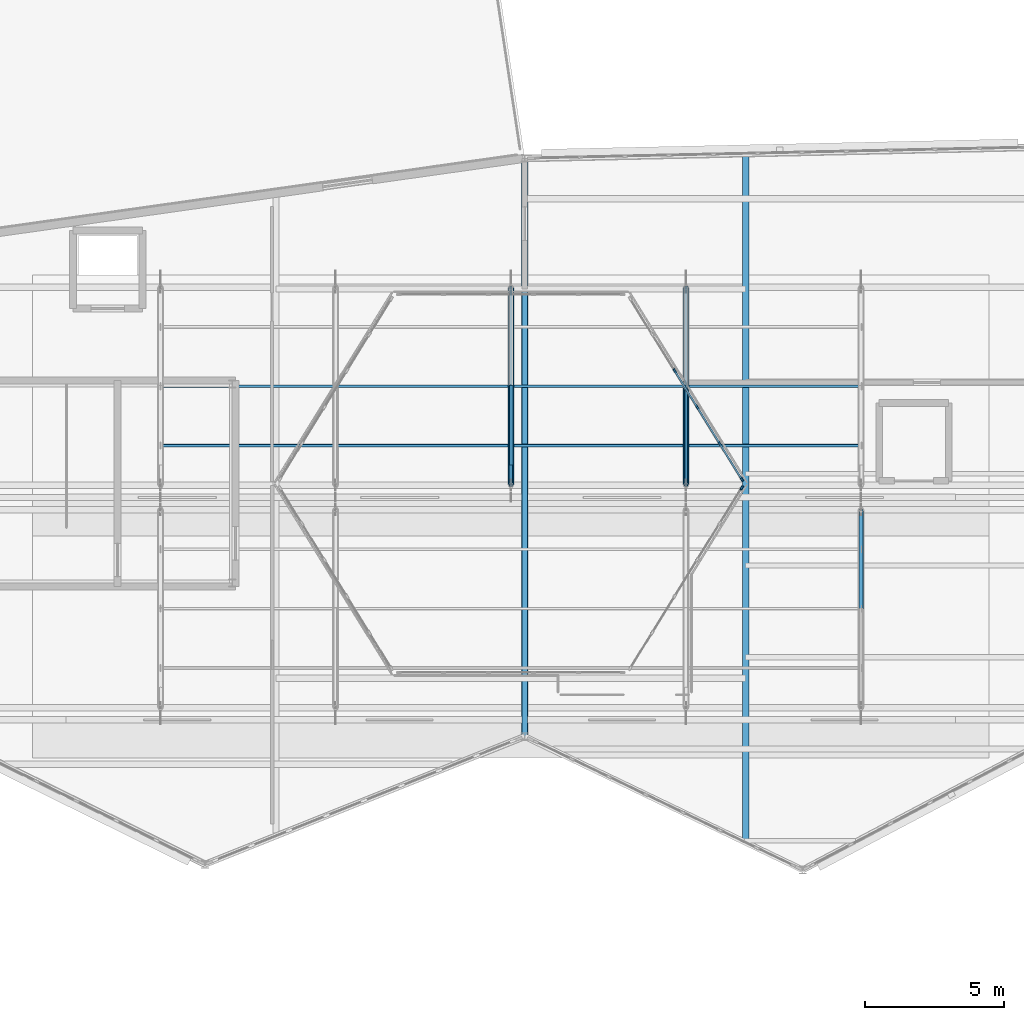
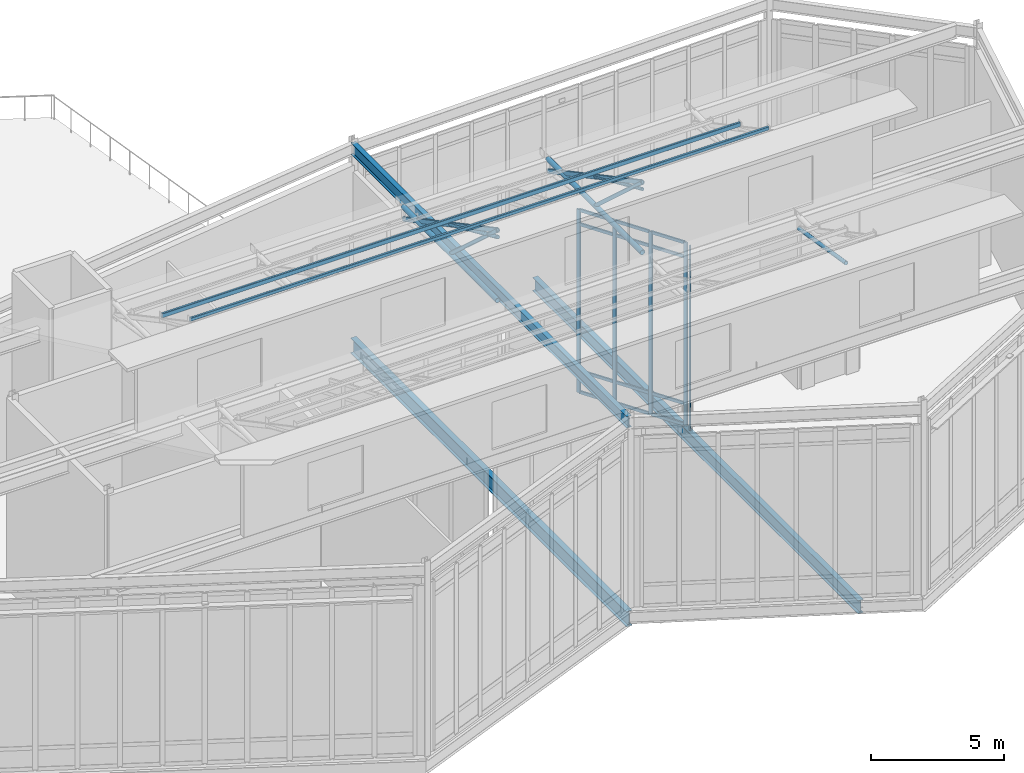
# One storey, part 27 of 66: 26 members, 5 beams, 2 elements without a shape of their own.
"""IFC4 building model written with IfcOpenShell, lengths in metres."""

from ifc_helpers import new_model, si_unit, direction, frame, origin, origin_2d, place, context, subcontext, project, spatial, rectangle, hollow_rectangle, hollow_circle, i_section, extrude, material, material_profile, profile_set, type_object, element, aggregate, save


model = new_model("IFC4")

# Units and contexts
model_context = context("Model", 3, precision=1e-05, world=origin(), true_north=direction((0.0, 1.0)))
body_context = subcontext(model_context, "Body", "Model", "MODEL_VIEW")
ifc_project = project(units=[si_unit("LENGTHUNIT", "METRE"), si_unit("AREAUNIT", "SQUARE_METRE"), si_unit("VOLUMEUNIT", "CUBIC_METRE"), si_unit("PLANEANGLEUNIT", "RADIAN"), si_unit("MASSUNIT", "GRAM", prefix="KILO")], contexts=[model_context])

# Site, building, storey
site_placement = place(None, origin())
site = spatial("IfcSite", under=ifc_project, at=site_placement, CompositionType="ELEMENT")
building_placement = place(site_placement, origin())
building = spatial("IfcBuilding", under=site, at=building_placement, Name="Tameran Prism Museum", CompositionType="ELEMENT")
storey_placement = place(building_placement, frame((0.0, 0.0, 19.800048828125)))
storey = spatial("IfcBuildingStorey", under=building, at=storey_placement, Name="L04", CompositionType="ELEMENT", Elevation=19.800048828125)

# Beams
ifc_material_1 = material(Name="Steel Grade C350L0 (350 MPa)", Category="steel")
ifc_material_profile_1 = material_profile(ifc_material_1, hollow_rectangle(XDim=0.10009765625, YDim=0.14990234375, WallThickness=0.006103515625, InnerFilletRadius=0.009033203125, OuterFilletRadius=0.014892578125, at=origin_2d()))
ifc_profile_set_1 = profile_set([ifc_material_profile_1])
beam_type_1 = type_object("IfcBeamType", Name="BM-PUR150", PredefinedType="USERDEFINED", material=ifc_profile_set_1)
beam_1_placement = place(storey_placement, frame((64.39990234375, 37.864013671875, 11.4560546875), z_axis=(1.0, 0.0, 0.0), x_axis=(0.0, 1.0, 0.0)))
element("IfcBeam", 1, at=beam_1_placement, inside=storey, type_object=beam_type_1, Name="Sawtooth Purlin PR-037", ObjectType="PURLIN", PredefinedType="USERDEFINED", context=body_context, shape_type="SweptSolid", body=[
    extrude(hollow_rectangle(XDim=0.10009765625, YDim=0.14990234375, WallThickness=0.006103515625, InnerFilletRadius=0.009033203125, OuterFilletRadius=0.014892578125, at=origin_2d()), origin(), (0.0, 0.0, 1.0), 25.2001953125),
])
ifc_material_2 = material(Name="Steel Grade C350L0 (350 MPa)", Category="steel")
ifc_material_profile_2 = material_profile(ifc_material_2, hollow_rectangle(XDim=0.10009765625, YDim=0.199951171875, WallThickness=0.008056640625, InnerFilletRadius=0.011962890625, OuterFilletRadius=0.02001953125, at=origin_2d()))
ifc_profile_set_2 = profile_set([ifc_material_profile_2])
beam_type_2 = type_object("IfcBeamType", Name="BM-PUR200", PredefinedType="USERDEFINED", material=ifc_profile_set_2)
beam_2_placement = place(storey_placement, frame((64.39990234375, 40.0, 10.343994140625), z_axis=(1.0, 0.0, 0.0), x_axis=(0.0, 1.0, 0.0)))
element("IfcBeam", 2, at=beam_2_placement, inside=storey, type_object=beam_type_2, Name="Sawtooth Purlin PR-038", ObjectType="PURLIN", PredefinedType="USERDEFINED", context=body_context, shape_type="SweptSolid", body=[
    extrude(hollow_rectangle(XDim=0.10009765625, YDim=0.199951171875, WallThickness=0.008056640625, InnerFilletRadius=0.011962890625, OuterFilletRadius=0.02001953125, at=origin_2d()), origin(), (0.0, 0.0, 1.0), 25.2001953125),
])
ifc_material_3 = material(Name="Steel Grade 300PLUS (300 MPa)", Category="steel")
ifc_material_profile_3 = material_profile(ifc_material_3, i_section(OverallWidth=0.208984375, OverallDepth=0.528076171875, WebThickness=0.009521484375, FlangeThickness=0.01318359375, FilletRadius=0.013916015625, at=origin_2d()))
ifc_profile_set_3 = profile_set([ifc_material_profile_3])
beam_type_3 = type_object("IfcBeamType", Name="BM-SP530B", PredefinedType="SPANDREL", material=ifc_profile_set_3)
beam_3_placement = place(storey_placement, frame((77.5, 27.39990234375, 8.505859375), z_axis=(0.0, 1.0, 0.0), x_axis=(-1.0, 0.0, 0.0)))
element("IfcBeam", 3, at=beam_3_placement, inside=storey, type_object=beam_type_3, Name="Roof Ring Beam RB-1164", PredefinedType="SPANDREL", context=body_context, shape_type="SweptSolid", body=[
    extrude(i_section(OverallWidth=0.208984375, OverallDepth=0.528076171875, WebThickness=0.009521484375, FlangeThickness=0.01318359375, FilletRadius=0.013916015625, at=origin_2d()), origin(), (0.0, 0.0, 1.0), 20.800048828125),
])
ifc_material_4 = material(Name="Steel Grade 350 (350 MPa)", Category="steel")
ifc_material_profile_4 = material_profile(ifc_material_4, i_section(OverallWidth=0.25, OverallDepth=0.699951171875, WebThickness=0.010009765625, FlangeThickness=0.02001953125, at=origin_2d()))
ifc_profile_set_4 = profile_set([ifc_material_profile_4])
beam_type_4 = type_object("IfcBeamType", Name="BM-SP700", PredefinedType="SPANDREL", material=ifc_profile_set_4)
beam_4_placement = place(storey_placement, frame((77.5, 27.39990234375, -0.550048828125), z_axis=(0.0, 1.0, 0.0), x_axis=(-1.0, 0.0, 0.0)))
element("IfcBeam", 4, at=beam_4_placement, inside=storey, type_object=beam_type_4, Name="Perimeter Spandrel SP-1158", PredefinedType="SPANDREL", context=body_context, shape_type="SweptSolid", body=[
    extrude(i_section(OverallWidth=0.25, OverallDepth=0.699951171875, WebThickness=0.010009765625, FlangeThickness=0.02001953125, at=origin_2d()), origin(), (0.0, 0.0, 1.0), 20.800048828125),
])
ifc_material_5 = material(Name="Steel Grade 300PLUS (300 MPa)", Category="steel")
ifc_material_profile_5 = material_profile(ifc_material_5, i_section(OverallWidth=0.22900390625, OverallDepth=0.612060546875, WebThickness=0.011962890625, FlangeThickness=0.01953125, FilletRadius=0.013916015625, at=origin_2d()))
ifc_profile_set_5 = profile_set([ifc_material_profile_5])
beam_type_5 = type_object("IfcBeamType", Name="BM-UB610A", PredefinedType="BEAM", material=ifc_profile_set_5)
beam_5_placement = place(storey_placement, frame((85.449951171875, 23.7060546875, -0.546142578125), z_axis=(0.0, 1.0, 0.0), x_axis=(-1.0, 0.0, 0.0)))
element("IfcBeam", 5, at=beam_5_placement, inside=storey, type_object=beam_type_5, Name="Atrium Opening Trimmer Girder AT-1196", PredefinedType="BEAM", context=body_context, shape_type="SweptSolid", body=[
    extrude(i_section(OverallWidth=0.22900390625, OverallDepth=0.612060546875, WebThickness=0.011962890625, FlangeThickness=0.01953125, FilletRadius=0.013916015625, at=origin_2d()), origin(), (0.0, 0.0, 1.0), 24.557861328125),
])

# Curtain wall, member
ifc_material_6 = material(Name="Anodised Aluminium 6063-T6 and Cyclone Solar Glass", Category="aluminium")
curtain_wall_type = type_object("IfcCurtainWallType", Name="CW-ATR-769x844", PredefinedType="USERDEFINED", material=ifc_material_6)
curtain_wall_1_placement = place(storey_placement, origin())
curtain_wall_1 = element("IfcCurtainWall", 6, at=curtain_wall_1_placement, inside=storey, type_object=curtain_wall_type, Name="Unitised Curtain Wall CW-017", ObjectType="UNITISED CURTAIN WALL", PredefinedType="USERDEFINED")
ifc_material_7 = material(Name="Anodised Aluminium Alloy 6063-T6", Category="aluminium")
ifc_material_profile_6 = material_profile(ifc_material_7, rectangle(XDim=0.06494140625, YDim=0.159912109375, at=origin_2d()))
ifc_profile_set_6 = profile_set([ifc_material_profile_6])
member_type_1 = type_object("IfcMemberType", Name="CW-MUL-A", PredefinedType="MULLION", material=ifc_profile_set_6)
member_1_placement = place(storey_placement, frame((85.303955078125, 36.34423828125, 0.0), z_axis=(0.0, 0.0, 1.0), x_axis=(-0.850791158897, 0.525503952357, 0.0)))
member_1 = element("IfcMember", 7, at=member_1_placement, type_object=member_type_1, Name="CW-017 mullion 6", PredefinedType="MULLION", context=body_context, shape_type="SweptSolid", body=[
    extrude(rectangle(XDim=0.06494140625, YDim=0.159912109375, at=origin_2d()), origin(), (0.0, 0.0, 1.0), 8.43994140625),
])
aggregate(curtain_wall_1, [member_1])

# Curtain wall, members
curtain_wall_2_placement = place(storey_placement, origin())
curtain_wall_2 = element("IfcCurtainWall", 8, at=curtain_wall_2_placement, inside=storey, type_object=curtain_wall_type, Name="Unitised Curtain Wall CW-018", ObjectType="UNITISED CURTAIN WALL", PredefinedType="USERDEFINED")
member_2_placement = place(storey_placement, frame((85.303955078125, 36.65576171875, 0.0), z_axis=(0.0, 0.0, 1.0), x_axis=(-0.850791158897, -0.525503952357, 0.0)))
member_2 = element("IfcMember", 9, at=member_2_placement, type_object=member_type_1, Name="CW-018 mullion 1", PredefinedType="MULLION", context=body_context, shape_type="SweptSolid", body=[
    extrude(rectangle(XDim=0.06494140625, YDim=0.159912109375, at=origin_2d()), origin(), (0.0, 0.0, 1.0), 8.43994140625),
])
member_3_placement = place(storey_placement, frame((84.5126953125, 37.936767578125, 0.0), z_axis=(0.0, 0.0, 1.0), x_axis=(-0.850791158897, -0.525503952357, 0.0)))
member_3 = element("IfcMember", 10, at=member_3_placement, type_object=member_type_1, Name="CW-018 mullion 2", PredefinedType="MULLION", context=body_context, shape_type="SweptSolid", body=[
    extrude(rectangle(XDim=0.06494140625, YDim=0.159912109375, at=origin_2d()), origin(), (0.0, 0.0, 1.0), 8.43994140625),
])
member_4_placement = place(storey_placement, frame((83.7041015625, 39.24560546875, 0.0), z_axis=(0.0, 0.0, 1.0), x_axis=(-0.850791158897, -0.525503952357, 0.0)))
member_4 = element("IfcMember", 11, at=member_4_placement, type_object=member_type_1, Name="CW-018 mullion 3", PredefinedType="MULLION", context=body_context, shape_type="SweptSolid", body=[
    extrude(rectangle(XDim=0.06494140625, YDim=0.159912109375, at=origin_2d()), origin(), (0.0, 0.0, 1.0), 8.43994140625),
])
member_5_placement = place(storey_placement, frame((82.895751953125, 40.554443359375, 0.0), z_axis=(0.0, 0.0, 1.0), x_axis=(-0.850791158897, -0.525503952357, 0.0)))
member_5 = element("IfcMember", 12, at=member_5_placement, type_object=member_type_1, Name="CW-018 mullion 4", PredefinedType="MULLION", context=body_context, shape_type="SweptSolid", body=[
    extrude(rectangle(XDim=0.06494140625, YDim=0.159912109375, at=origin_2d()), origin(), (0.0, 0.0, 1.0), 8.43994140625),
])
ifc_material_8 = material(Name="Anodised Aluminium Alloy 6063-T6", Category="aluminium")
ifc_material_profile_7 = material_profile(ifc_material_8, rectangle(XDim=0.06494140625, YDim=0.139892578125, at=origin_2d()))
ifc_profile_set_7 = profile_set([ifc_material_profile_7])
member_type_2 = type_object("IfcMemberType", Name="CW-TRN-A", PredefinedType="USERDEFINED", material=ifc_profile_set_7)
member_6_placement = place(storey_placement, frame((85.286865234375, 36.683349609375, 0.032470703125), z_axis=(-0.525467627301, 0.850813594543, 0.0), x_axis=(-0.850813594543, -0.525467627301, 0.0)))
member_6 = element("IfcMember", 13, at=member_6_placement, type_object=member_type_2, Name="CW-018 transom 1.1", ObjectType="TRANSOM", PredefinedType="USERDEFINED", context=body_context, shape_type="SweptSolid", body=[
    extrude(rectangle(XDim=0.06494140625, YDim=0.139892578125, at=origin_2d()), origin(), (0.0, 0.0, 1.0), 1.440673828125),
])
member_7_placement = place(storey_placement, frame((85.286865234375, 36.683349609375, 1.0), z_axis=(-0.525467627301, 0.850813594543, 0.0), x_axis=(-0.850813594543, -0.525467627301, 0.0)))
member_7 = element("IfcMember", 14, at=member_7_placement, type_object=member_type_2, Name="CW-018 transom 1.2", ObjectType="TRANSOM", PredefinedType="USERDEFINED", context=body_context, shape_type="SweptSolid", body=[
    extrude(rectangle(XDim=0.06494140625, YDim=0.139892578125, at=origin_2d()), origin(), (0.0, 0.0, 1.0), 1.440673828125),
])
member_8_placement = place(storey_placement, frame((85.286865234375, 36.683349609375, 7.760009765625), z_axis=(-0.525467627301, 0.850813594543, 0.0), x_axis=(-0.850813594543, -0.525467627301, 0.0)))
member_8 = element("IfcMember", 15, at=member_8_placement, type_object=member_type_2, Name="CW-018 transom 1.3", ObjectType="TRANSOM", PredefinedType="USERDEFINED", context=body_context, shape_type="SweptSolid", body=[
    extrude(rectangle(XDim=0.06494140625, YDim=0.139892578125, at=origin_2d()), origin(), (0.0, 0.0, 1.0), 1.440673828125),
])
member_9_placement = place(storey_placement, frame((85.286865234375, 36.683349609375, 8.407470703125), z_axis=(-0.525467627301, 0.850813594543, 0.0), x_axis=(-0.850813594543, -0.525467627301, 0.0)))
member_9 = element("IfcMember", 16, at=member_9_placement, type_object=member_type_2, Name="CW-018 transom 1.4", ObjectType="TRANSOM", PredefinedType="USERDEFINED", context=body_context, shape_type="SweptSolid", body=[
    extrude(rectangle(XDim=0.06494140625, YDim=0.139892578125, at=origin_2d()), origin(), (0.0, 0.0, 1.0), 1.440673828125),
])
member_10_placement = place(storey_placement, frame((84.49560546875, 37.96435546875, 0.032470703125), z_axis=(-0.525538735192, 0.850769673774, 0.0), x_axis=(-0.850769673774, -0.525538735192, 0.0)))
member_10 = element("IfcMember", 17, at=member_10_placement, type_object=member_type_2, Name="CW-018 transom 2.1", ObjectType="TRANSOM", PredefinedType="USERDEFINED", context=body_context, shape_type="SweptSolid", body=[
    extrude(rectangle(XDim=0.06494140625, YDim=0.139892578125, at=origin_2d()), origin(), (0.0, 0.0, 1.0), 1.4736328125),
])
member_11_placement = place(storey_placement, frame((84.49560546875, 37.96435546875, 1.0), z_axis=(-0.525538735192, 0.850769673774, 0.0), x_axis=(-0.850769673774, -0.525538735192, 0.0)))
member_11 = element("IfcMember", 18, at=member_11_placement, type_object=member_type_2, Name="CW-018 transom 2.2", ObjectType="TRANSOM", PredefinedType="USERDEFINED", context=body_context, shape_type="SweptSolid", body=[
    extrude(rectangle(XDim=0.06494140625, YDim=0.139892578125, at=origin_2d()), origin(), (0.0, 0.0, 1.0), 1.4736328125),
])
member_12_placement = place(storey_placement, frame((84.49560546875, 37.96435546875, 7.760009765625), z_axis=(-0.525538735192, 0.850769673774, 0.0), x_axis=(-0.850769673774, -0.525538735192, 0.0)))
member_12 = element("IfcMember", 19, at=member_12_placement, type_object=member_type_2, Name="CW-018 transom 2.3", ObjectType="TRANSOM", PredefinedType="USERDEFINED", context=body_context, shape_type="SweptSolid", body=[
    extrude(rectangle(XDim=0.06494140625, YDim=0.139892578125, at=origin_2d()), origin(), (0.0, 0.0, 1.0), 1.4736328125),
])
member_13_placement = place(storey_placement, frame((84.49560546875, 37.96435546875, 8.407470703125), z_axis=(-0.525538735192, 0.850769673774, 0.0), x_axis=(-0.850769673774, -0.525538735192, 0.0)))
member_13 = element("IfcMember", 20, at=member_13_placement, type_object=member_type_2, Name="CW-018 transom 2.4", ObjectType="TRANSOM", PredefinedType="USERDEFINED", context=body_context, shape_type="SweptSolid", body=[
    extrude(rectangle(XDim=0.06494140625, YDim=0.139892578125, at=origin_2d()), origin(), (0.0, 0.0, 1.0), 1.4736328125),
])
member_14_placement = place(storey_placement, frame((83.68701171875, 39.273193359375, 0.032470703125), z_axis=(-0.525418798442, 0.850843749606, 0.0), x_axis=(-0.850843749606, -0.525418798442, 0.0)))
member_14 = element("IfcMember", 21, at=member_14_placement, type_object=member_type_2, Name="CW-018 transom 3.1", ObjectType="TRANSOM", PredefinedType="USERDEFINED", context=body_context, shape_type="SweptSolid", body=[
    extrude(rectangle(XDim=0.06494140625, YDim=0.139892578125, at=origin_2d()), origin(), (0.0, 0.0, 1.0), 1.473388671875),
])
member_15_placement = place(storey_placement, frame((83.68701171875, 39.273193359375, 1.0), z_axis=(-0.525418798442, 0.850843749606, 0.0), x_axis=(-0.850843749606, -0.525418798442, 0.0)))
member_15 = element("IfcMember", 22, at=member_15_placement, type_object=member_type_2, Name="CW-018 transom 3.2", ObjectType="TRANSOM", PredefinedType="USERDEFINED", context=body_context, shape_type="SweptSolid", body=[
    extrude(rectangle(XDim=0.06494140625, YDim=0.139892578125, at=origin_2d()), origin(), (0.0, 0.0, 1.0), 1.473388671875),
])
member_16_placement = place(storey_placement, frame((83.68701171875, 39.273193359375, 7.760009765625), z_axis=(-0.525418798442, 0.850843749606, 0.0), x_axis=(-0.850843749606, -0.525418798442, 0.0)))
member_16 = element("IfcMember", 23, at=member_16_placement, type_object=member_type_2, Name="CW-018 transom 3.3", ObjectType="TRANSOM", PredefinedType="USERDEFINED", context=body_context, shape_type="SweptSolid", body=[
    extrude(rectangle(XDim=0.06494140625, YDim=0.139892578125, at=origin_2d()), origin(), (0.0, 0.0, 1.0), 1.473388671875),
])
member_17_placement = place(storey_placement, frame((83.68701171875, 39.273193359375, 8.407470703125), z_axis=(-0.525418798442, 0.850843749606, 0.0), x_axis=(-0.850843749606, -0.525418798442, 0.0)))
member_17 = element("IfcMember", 24, at=member_17_placement, type_object=member_type_2, Name="CW-018 transom 3.4", ObjectType="TRANSOM", PredefinedType="USERDEFINED", context=body_context, shape_type="SweptSolid", body=[
    extrude(rectangle(XDim=0.06494140625, YDim=0.139892578125, at=origin_2d()), origin(), (0.0, 0.0, 1.0), 1.473388671875),
])
aggregate(curtain_wall_2, [member_2, member_3, member_4, member_5, member_6, member_7, member_8, member_9, member_10, member_11, member_12, member_13, member_14, member_15, member_16, member_17])

# Members
ifc_material_9 = material(Name="Steel Grade C350L0 (350 MPa)", Category="steel")
ifc_material_profile_8 = material_profile(ifc_material_9, hollow_circle(Radius=0.084228515625, WallThickness=0.007080078125, at=origin_2d()))
ifc_profile_set_8 = profile_set([ifc_material_profile_8])
member_type_3 = type_object("IfcMemberType", Name="MM-BR-CHS168", PredefinedType="BRACE", material=ifc_profile_set_8)
member_18_placement = place(storey_placement, frame((89.60009765625, 32.0, 8.785888671875), z_axis=(0.0, 0.987767358806, -0.155934745575), x_axis=(-1.0, 0.0, 0.0)))
element("IfcMember", 25, at=member_18_placement, inside=storey, type_object=member_type_3, Name="Sawtooth Brace STM-0188", PredefinedType="BRACE", context=body_context, shape_type="SweptSolid", body=[
    extrude(hollow_circle(Radius=0.084228515625, WallThickness=0.007080078125, at=origin_2d()), origin(), (0.0, 0.0, 1.0), 3.604248046875),
])
for number, where, z_axis, x_axis, name in (
    (26, (77.0, 40.0, 8.785888671875), (0.0, -0.739772474497, 0.672857106656), (1.0, 0.0, 0.0), "Sawtooth Brace STM-0208"),
    (27, (83.300048828125, 40.0, 8.785888671875), (0.0, -0.739772474497, 0.672857106656), (1.0, 0.0, 0.0), "Sawtooth Brace STM-0215"),
):
    element("IfcMember", number, at=place(storey_placement, frame(where, z_axis=z_axis, x_axis=x_axis)), inside=storey, type_object=member_type_3, Name=name, PredefinedType="BRACE", context=body_context, shape_type="SweptSolid", body=[
        extrude(hollow_circle(Radius=0.084228515625, WallThickness=0.007080078125, at=origin_2d()), origin(), (0.0, 0.0, 1.0), 4.812255859375),
    ])
ifc_material_10 = material(Name="Steel Grade C350L0 (350 MPa)", Category="steel")
ifc_material_profile_9 = material_profile(ifc_material_10, hollow_circle(Radius=0.109619140625, WallThickness=0.00830078125, at=origin_2d()))
ifc_profile_set_9 = profile_set([ifc_material_profile_9])
member_type_4 = type_object("IfcMemberType", Name="MM-CH-CHS219", PredefinedType="CHORD", material=ifc_profile_set_9)
for number, where, z_axis, x_axis, name in (
    (28, (77.0, 36.43994140625, 8.785888671875), (0.0, 1.0, 0.0), (-1.0, 0.0, 0.0), "Sawtooth Chord STM-0204"),
    (29, (83.300048828125, 36.43994140625, 8.785888671875), (0.0, 1.0, 0.0), (-1.0, 0.0, 0.0), "Sawtooth Chord STM-0211"),
):
    element("IfcMember", number, at=place(storey_placement, frame(where, z_axis=z_axis, x_axis=x_axis)), inside=storey, type_object=member_type_4, Name=name, PredefinedType="CHORD", context=body_context, shape_type="SweptSolid", body=[
        extrude(hollow_circle(Radius=0.109619140625, WallThickness=0.00830078125, at=origin_2d()), origin(), (0.0, 0.0, 1.0), 7.1201171875),
    ])
ifc_material_11 = material(Name="Steel Grade C350L0 (350 MPa)", Category="steel")
ifc_material_profile_10 = material_profile(ifc_material_11, hollow_rectangle(XDim=0.10009765625, YDim=0.199951171875, WallThickness=0.008056640625, InnerFilletRadius=0.011962890625, OuterFilletRadius=0.02001953125, at=origin_2d()))
ifc_profile_set_10 = profile_set([ifc_material_profile_10])
member_type_5 = type_object("IfcMemberType", Name="MM-RF-RHS200", PredefinedType="RAFTER", material=ifc_profile_set_10)
for number, where, z_axis, x_axis, name in (
    (30, (77.0, 36.43994140625, 12.02392578125), (0.0, 0.882216411875, -0.47084413835), (-1.0, 0.0, 0.0), "Sawtooth Rafter STM-0205"),
    (31, (83.300048828125, 36.43994140625, 12.02392578125), (0.0, 0.882216411875, -0.47084413835), (-1.0, 0.0, 0.0), "Sawtooth Rafter STM-0212"),
):
    element("IfcMember", number, at=place(storey_placement, frame(where, z_axis=z_axis, x_axis=x_axis)), inside=storey, type_object=member_type_5, Name=name, PredefinedType="RAFTER", context=body_context, shape_type="SweptSolid", body=[
        extrude(hollow_rectangle(XDim=0.10009765625, YDim=0.199951171875, WallThickness=0.008056640625, InnerFilletRadius=0.011962890625, OuterFilletRadius=0.02001953125, at=origin_2d()), origin(), (0.0, 0.0, 1.0), 8.07080078125),
    ])
ifc_material_12 = material(Name="Steel Grade C350L0 (350 MPa)", Category="steel")
ifc_material_profile_11 = material_profile(ifc_material_12, hollow_circle(Radius=0.06982421875, WallThickness=0.00634765625, at=origin_2d()))
ifc_profile_set_11 = profile_set([ifc_material_profile_11])
member_type_6 = type_object("IfcMemberType", Name="MM-ST-CHS140", PredefinedType="STRUT", material=ifc_profile_set_11)
member_19_placement = place(storey_placement, frame((83.300048828125, 36.43994140625, 11.703857421875), z_axis=(0.0, 0.914041454577, -0.405620782647), x_axis=(-1.0, 0.0, 0.0)))
element("IfcMember", 32, at=member_19_placement, inside=storey, type_object=member_type_6, Name="Sawtooth Strut STM-0217", PredefinedType="STRUT", context=body_context, shape_type="SweptSolid", body=[
    extrude(hollow_circle(Radius=0.06982421875, WallThickness=0.00634765625, at=origin_2d()), origin(), (0.0, 0.0, 1.0), 3.894775390625),
])
ifc_material_13 = material(Name="Steel Grade C350L0 (350 MPa)", Category="steel")
ifc_material_profile_12 = material_profile(ifc_material_13, hollow_circle(Radius=0.084228515625, WallThickness=0.007080078125, at=origin_2d()))
ifc_profile_set_12 = profile_set([ifc_material_profile_12])
member_type_7 = type_object("IfcMemberType", Name="MM-ST-CHS168", PredefinedType="STRUT", material=ifc_profile_set_12)
member_20_placement = place(storey_placement, frame((77.0, 36.43994140625, 11.703857421875), z_axis=(0.0, 0.914041454577, -0.405620782647), x_axis=(-1.0, 0.0, 0.0)))
element("IfcMember", 33, at=member_20_placement, inside=storey, type_object=member_type_7, Name="Sawtooth Strut STM-0210", PredefinedType="STRUT", context=body_context, shape_type="SweptSolid", body=[
    extrude(hollow_circle(Radius=0.084228515625, WallThickness=0.007080078125, at=origin_2d()), origin(), (0.0, 0.0, 1.0), 3.894775390625),
])

save(model, "model.ifc")
